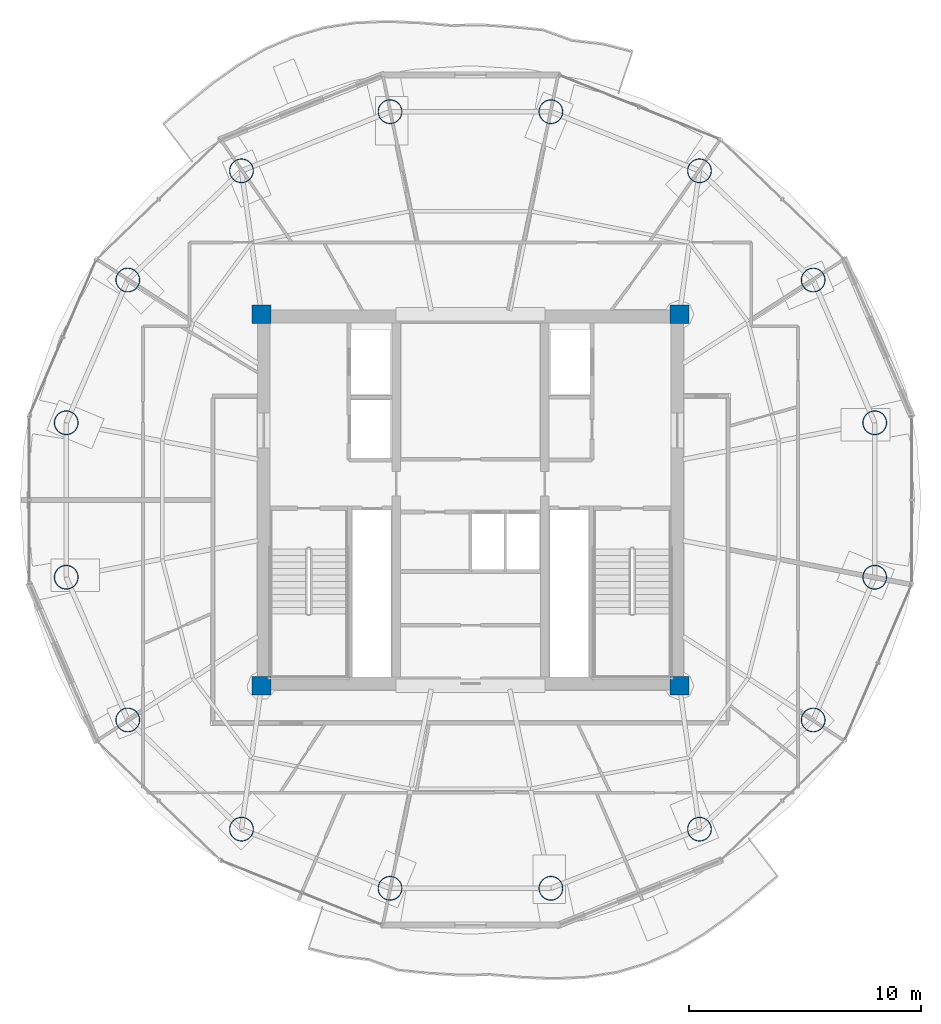
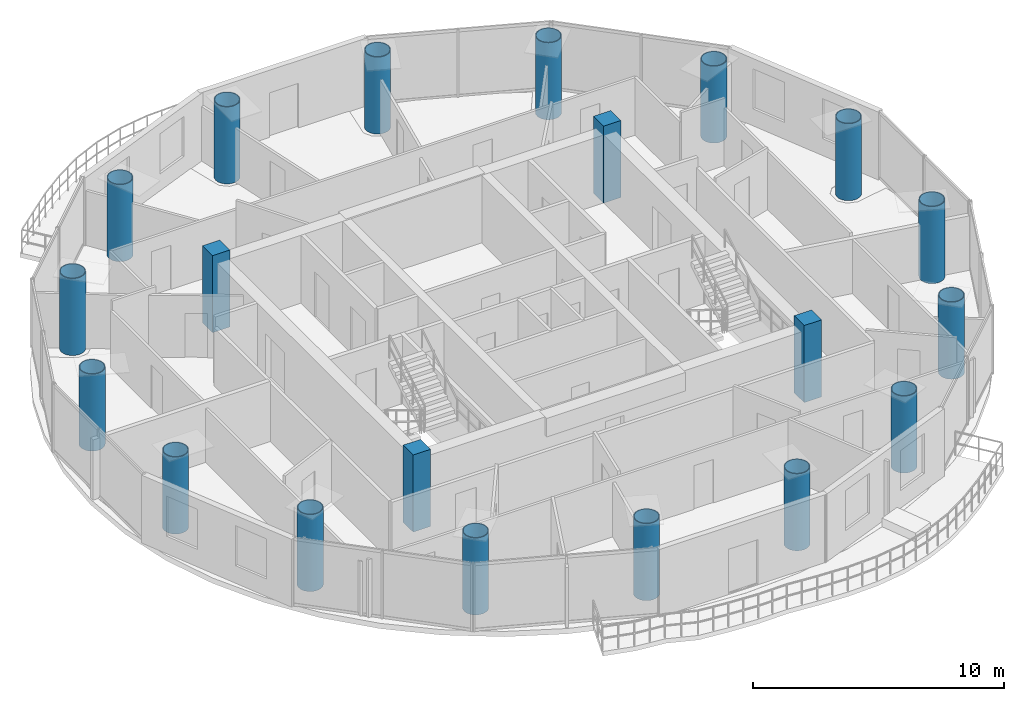
# One storey, part 1 of 23: 20 columns.
"""IFC4 building model written with IfcOpenShell, lengths in metres."""

import ifcopenshell
import ifcopenshell.guid

model = None  # the IFC model being written
_history = None  # IfcOwnerHistory: only IFC2X3 demands one
_inside = {}  # id of a spatial element -> (the spatial element, [elements in it])
_under = {}  # id of a project, library or spatial element -> (it, [spatial elements below it])
_declared = {}  # id of a project -> (the project, [libraries it declares])
_typed = {}  # id of a type object -> (the type object, [elements of that type])
_made_of = {}  # id of a material, layer set ... -> (it, [elements and type objects made of it])


def new_model(schema):
    """Start an empty IFC model of exactly this schema.

    Asked for "IFC4X3", IfcOpenShell would pick the latest addendum, in which some entities
    have other attributes; the version numbers below select the first issue.
    IFC2X3 requires an IfcOwnerHistory on every rooted entity: one is made here for all.
    """
    global model, _history
    if schema == "IFC4X3":
        model = ifcopenshell.file(schema_version=(4, 3, 0, 0))
    else:
        model = ifcopenshell.file(schema=schema)
    _inside.clear()
    _under.clear()
    _declared.clear()
    _typed.clear()
    _made_of.clear()
    _history = None
    if model.schema == "IFC2X3":
        org = make("IfcOrganization", Name="unknown")
        user = make(
            "IfcPersonAndOrganization",
            ThePerson=make("IfcPerson", FamilyName="unknown"),
            TheOrganization=org,
        )
        app = make(
            "IfcApplication",
            ApplicationDeveloper=org,
            Version="unknown",
            ApplicationFullName="unknown",
            ApplicationIdentifier="unknown",
        )
        _history = make(
            "IfcOwnerHistory",
            OwningUser=user,
            OwningApplication=app,
            ChangeAction="ADDED",
            CreationDate=0,
        )
    return model


def make(cls, **values):
    """One entity of the class cls with the attributes given. An attribute that is None is left unset."""
    return model.create_entity(
        cls, **{name: value for name, value in values.items() if value is not None}
    )


def rooted(cls, **values):
    """An entity with a GlobalId (a new one), such as an element, a storey or a relation."""
    return make(cls, GlobalId=ifcopenshell.guid.new(), OwnerHistory=_history, **values)


def si_unit(unit_type, name, prefix=None):
    """IfcSIUnit, for example si_unit("LENGTHUNIT", "METRE", prefix="MILLI")."""
    return make("IfcSIUnit", UnitType=unit_type, Prefix=prefix, Name=name)


def assignment(units):
    """IfcUnitAssignment: the units of a project."""
    return None if units is None else make("IfcUnitAssignment", Units=units)


def point(xyz):
    """IfcCartesianPoint."""
    return None if xyz is None else make("IfcCartesianPoint", Coordinates=xyz)


def direction(xyz):
    """IfcDirection."""
    return None if xyz is None else make("IfcDirection", DirectionRatios=xyz)


def frame(location, z_axis=None, x_axis=None):
    """IfcAxis2Placement3D, a coordinate frame: its origin and axes. An axis left out is left unset."""
    return make(
        "IfcAxis2Placement3D",
        Location=point(location),
        Axis=direction(z_axis),
        RefDirection=direction(x_axis),
    )


def frame_2d(location, x_axis=None):
    """IfcAxis2Placement2D, a coordinate frame in the plane: its origin and x axis."""
    return make(
        "IfcAxis2Placement2D", Location=point(location), RefDirection=direction(x_axis)
    )


def origin():
    """The frame at (0, 0, 0) with its axes left unset."""
    return frame((0.0, 0.0, 0.0))


def origin_2d():
    """The frame at (0, 0) in the plane with its x axis left unset."""
    return frame_2d((0.0, 0.0))


def place(relative_to, where):
    """IfcLocalPlacement: puts the frame where relative to a parent placement (None: the world)."""
    return make(
        "IfcLocalPlacement", PlacementRelTo=relative_to, RelativePlacement=where
    )


def context(
    kind, dimensions, precision=None, world=None, true_north=None, identifier=None
):
    """IfcGeometricRepresentationContext, for example the 3D "Model" context."""
    return make(
        "IfcGeometricRepresentationContext",
        ContextIdentifier=identifier,
        ContextType=kind,
        CoordinateSpaceDimension=dimensions,
        Precision=precision,
        WorldCoordinateSystem=world,
        TrueNorth=true_north,
    )


def subcontext(parent, identifier, kind, view, scale=None):
    """IfcGeometricRepresentationSubContext, for example "Body" below "Model"."""
    return make(
        "IfcGeometricRepresentationSubContext",
        ContextIdentifier=identifier,
        ContextType=kind,
        ParentContext=parent,
        TargetScale=scale,
        TargetView=view,
    )


def project(units=None, contexts=None):
    """IfcProject with its units and contexts."""
    return rooted(
        "IfcProject",
        Name="project",
        RepresentationContexts=contexts,
        UnitsInContext=assignment(units),
    )


def spatial(cls, under=None, at=None, **own):
    """A site, building, storey or space (cls), placed at a placement, below another one or the project."""
    s = rooted(cls, ObjectPlacement=at, **own)
    if under is not None:
        _under.setdefault(under.id(), (under, []))[1].append(s)
    return s


def profile(cls, at=None, kind="AREA", **sizes):
    """A parametric profile (cls). Its sizes go by their IFC names, for example OverallWidth=200.0."""
    return make(cls, ProfileType=kind, Position=at, **sizes)


def rectangle(**sizes):
    """IfcRectangleProfileDef."""
    return profile("IfcRectangleProfileDef", **sizes)


def hollow_circle(**sizes):
    """IfcCircleHollowProfileDef."""
    return profile("IfcCircleHollowProfileDef", **sizes)


def extrude(swept, where, along, depth):
    """IfcExtrudedAreaSolid: the profile swept, set in the frame where, extruded along a direction by depth."""
    return make(
        "IfcExtrudedAreaSolid",
        SweptArea=swept,
        Position=where,
        ExtrudedDirection=direction(along),
        Depth=depth,
    )


def shape(context_of_items, identifier, shape_type, items):
    """IfcShapeRepresentation: the items that make up one representation, for example the "Body"."""
    return make(
        "IfcShapeRepresentation",
        ContextOfItems=context_of_items,
        RepresentationIdentifier=identifier,
        RepresentationType=shape_type,
        Items=items,
    )


def material(Name=None, Category=None):
    """IfcMaterial."""
    return make("IfcMaterial", Name=Name, Category=Category)


def material_profile(
    of_material, cross_section, Name=None, Category=None, Priority=None
):
    """IfcMaterialProfile: a cross section and its material."""
    return make(
        "IfcMaterialProfile",
        Name=Name,
        Material=of_material,
        Profile=cross_section,
        Priority=Priority,
        Category=Category,
    )


def profile_set(profiles, Name=None, composite=None):
    """IfcMaterialProfileSet."""
    return make(
        "IfcMaterialProfileSet",
        Name=Name,
        MaterialProfiles=profiles,
        CompositeProfile=composite,
    )


def made_of(thing, what):
    """Note that an element or type object is made of a material, layer set ...; save() writes the relation."""
    if what is not None:
        _made_of.setdefault(what.id(), (what, []))[1].append(thing)
    return thing


def type_object(cls, material=None, **own):
    """A type object (cls), such as IfcWallType, which elements share."""
    return made_of(rooted(cls, **own), material)


def element(
    cls,
    number,
    at=None,
    inside=None,
    cuts=None,
    type_object=None,
    material=None,
    context=None,
    identifier="Body",
    shape_type=None,
    held_by="IfcProductDefinitionShape",
    body=None,
    shapes=None,
    **own,
):
    """One element of the class cls, such as IfcWall. Its Tag is "e" and its number.

    at: its placement. inside: the storey or other place that contains it. cuts: it is an
    opening in that element (IfcRelVoidsElement). A single representation is given by context,
    identifier, shape_type and body (its items); several are given by shapes. held_by: the class
    of the entity that holds the representations. save() writes the other relations.
    """
    e = rooted(cls, Tag="e%d" % number, ObjectPlacement=at, **own)
    if body is not None:
        shapes = [shape(context, identifier, shape_type, body)]
    if shapes is not None:
        e.Representation = make(held_by, Representations=shapes)
    if inside is not None:
        _inside.setdefault(inside.id(), (inside, []))[1].append(e)
    if cuts is not None:
        rooted(
            "IfcRelVoidsElement", RelatingBuildingElement=cuts, RelatedOpeningElement=e
        )
    if type_object is not None:
        _typed.setdefault(type_object.id(), (type_object, []))[1].append(e)
    return made_of(e, material)


def aggregate(whole, parts):
    """IfcRelAggregates: a whole, such as a stair, and the parts it consists of."""
    return rooted("IfcRelAggregates", RelatingObject=whole, RelatedObjects=parts)


def save(model, path):
    """Write the relations noted so far, then the file.

    IfcRelAggregates (storeys below a building ...), IfcRelContainedInSpatialStructure (elements
    in a storey), IfcRelDefinesByType, IfcRelAssociatesMaterial and IfcRelDeclares: one each for
    every whole, place, type object, material and project.
    """
    for whole, parts in _under.values():
        aggregate(whole, parts)
    for where, things in _inside.values():
        rooted(
            "IfcRelContainedInSpatialStructure",
            RelatedElements=things,
            RelatingStructure=where,
        )
    for kind, things in _typed.values():
        rooted("IfcRelDefinesByType", RelatedObjects=things, RelatingType=kind)
    for what, things in _made_of.values():
        rooted("IfcRelAssociatesMaterial", RelatedObjects=things, RelatingMaterial=what)
    for by, libraries in _declared.values():
        rooted("IfcRelDeclares", RelatingContext=by, RelatedDefinitions=libraries)
    model.write(path)


model = new_model("IFC4")

# Units and contexts
model_context = context("Model", 3, precision=1e-05, world=origin(), true_north=direction((-0.2419218956, 0.970295726276)))
body_context = subcontext(model_context, "Body", "Model", "MODEL_VIEW")
ifc_project = project(units=[si_unit("LENGTHUNIT", "METRE"), si_unit("AREAUNIT", "SQUARE_METRE"), si_unit("VOLUMEUNIT", "CUBIC_METRE"), si_unit("PLANEANGLEUNIT", "RADIAN"), si_unit("MASSUNIT", "GRAM", prefix="KILO")], contexts=[model_context])

# Site, building, storey
site_placement = place(None, origin())
site = spatial("IfcSite", under=ifc_project, at=site_placement, CompositionType="ELEMENT")
building_placement = place(site_placement, origin())
building = spatial("IfcBuilding", under=site, at=building_placement, Name="Cobrevalo Terracotta Tower", CompositionType="ELEMENT")
storey_placement = place(building_placement, frame((0.0, 0.0, 296.949951171875)))
storey = spatial("IfcBuildingStorey", under=building, at=storey_placement, Name="L78", CompositionType="ELEMENT", Elevation=296.949951171875)

# Columns
ifc_material_1 = material(Name="Steel S355", Category="steel")
ifc_material_profile_1 = material_profile(ifc_material_1, hollow_circle(Radius=0.52490234375, WallThickness=0.034912109375, at=origin_2d()), Name="CHS 1050x35")
ifc_profile_set_1 = profile_set([ifc_material_profile_1], Name="Steel S355")
column_type_1 = type_object("IfcColumnType", Name="Structural Column CHS 1050x35 (Steel S355)", PredefinedType="COLUMN", material=ifc_profile_set_1)
for number, where, z_axis, x_axis, name in (
    (1, (55.408935546875, 30.126220703125, 0.0), (0.0, 0.0, 1.0), (1.0, 0.0, 0.0), "L78 composite megacolumn MC01"),
    (2, (52.758544921875, 36.2724609375, 0.0), (0.0, 0.0, 1.0), (1.0, 0.0, 0.0), "L78 composite megacolumn MC02"),
    (3, (47.861328125, 40.9765625, 0.0), (0.0, 0.0, 1.0), (1.0, 0.0, 0.0), "L78 composite megacolumn MC03"),
    (4, (41.462890625, 43.5224609375, 0.0), (0.0, 0.0, 1.0), (1.0, 0.0, 0.0), "L78 composite megacolumn MC04"),
    (5, (34.537109375, 43.5224609375, 0.0), (0.0, 0.0, 1.0), (1.0, 0.0, 0.0), "L78 composite megacolumn MC05"),
    (6, (28.138671875, 40.9765625, 0.0), (0.0, 0.0, 1.0), (1.0, 0.0, 0.0), "L78 composite megacolumn MC06"),
    (7, (23.241455078125, 36.2724609375, 0.0), (0.0, 0.0, 1.0), (1.0, 0.0, 0.0), "L78 composite megacolumn MC07"),
    (8, (20.591064453125, 30.126220703125, 0.0), (0.0, 0.0, 1.0), (1.0, 0.0, 0.0), "L78 composite megacolumn MC08"),
    (9, (20.591064453125, 23.4736328125, 0.0), (0.0, 0.0, 1.0), (1.0, 0.0, 0.0), "L78 composite megacolumn MC09"),
    (10, (23.241455078125, 17.32763671875, 0.0), (0.0, 0.0, 1.0), (1.0, 0.0, 0.0), "L78 composite megacolumn MC10"),
    (11, (28.138671875, 12.62353515625, 0.0), (0.0, 0.0, 1.0), (1.0, 0.0, 0.0), "L78 composite megacolumn MC11"),
    (12, (34.537109375, 10.07763671875, 0.0), (0.0, 0.0, 1.0), (1.0, 0.0, 0.0), "L78 composite megacolumn MC12"),
    (13, (41.462890625, 10.07763671875, 0.0), (0.0, 0.0, 1.0), (1.0, 0.0, 0.0), "L78 composite megacolumn MC13"),
    (14, (47.861328125, 12.62353515625, 0.0), (0.0, 0.0, 1.0), (1.0, 0.0, 0.0), "L78 composite megacolumn MC14"),
    (15, (52.758544921875, 17.32763671875, 0.0), (0.0, 0.0, 1.0), (1.0, 0.0, 0.0), "L78 composite megacolumn MC15"),
    (16, (55.408935546875, 23.4736328125, 0.0), (0.0, 0.0, 1.0), (1.0, 0.0, 0.0), "L78 composite megacolumn MC16"),
):
    element("IfcColumn", number, at=place(storey_placement, frame(where, z_axis=z_axis, x_axis=x_axis)), inside=storey, type_object=column_type_1, Name=name, PredefinedType="COLUMN", context=body_context, shape_type="SweptSolid", body=[
        extrude(hollow_circle(Radius=0.52490234375, WallThickness=0.034912109375, at=origin_2d()), origin(), (0.0, 0.0, 1.0), 3.75),
    ])
ifc_material_2 = material(Name="Concrete C50", Category="concrete")
ifc_material_profile_2 = material_profile(ifc_material_2, rectangle(XDim=0.800048828125, YDim=0.800048828125, at=origin_2d()), Name="RC COL 800x800")
ifc_profile_set_2 = profile_set([ifc_material_profile_2], Name="Concrete C50")
column_type_2 = type_object("IfcColumnType", Name="Structural Column RC COL 800x800 (Concrete C50)", PredefinedType="COLUMN", material=ifc_profile_set_2)
for number, where, z_axis, x_axis, name in (
    (17, (29.0, 18.800048828125, 0.0), (0.0, 0.0, 1.0), (1.0, 0.0, 0.0), "L78 core corner column CC1"),
    (18, (47.0, 18.800048828125, 0.0), (0.0, 0.0, 1.0), (1.0, 0.0, 0.0), "L78 core corner column CC2"),
    (19, (47.0, 34.800048828125, 0.0), (0.0, 0.0, 1.0), (1.0, 0.0, 0.0), "L78 core corner column CC3"),
    (20, (29.0, 34.800048828125, 0.0), (0.0, 0.0, 1.0), (1.0, 0.0, 0.0), "L78 core corner column CC4"),
):
    element("IfcColumn", number, at=place(storey_placement, frame(where, z_axis=z_axis, x_axis=x_axis)), inside=storey, type_object=column_type_2, Name=name, PredefinedType="COLUMN", context=body_context, shape_type="SweptSolid", body=[
        extrude(rectangle(XDim=0.800048828125, YDim=0.800048828125, at=origin_2d()), origin(), (0.0, 0.0, 1.0), 3.75),
    ])

save(model, "model.ifc")
